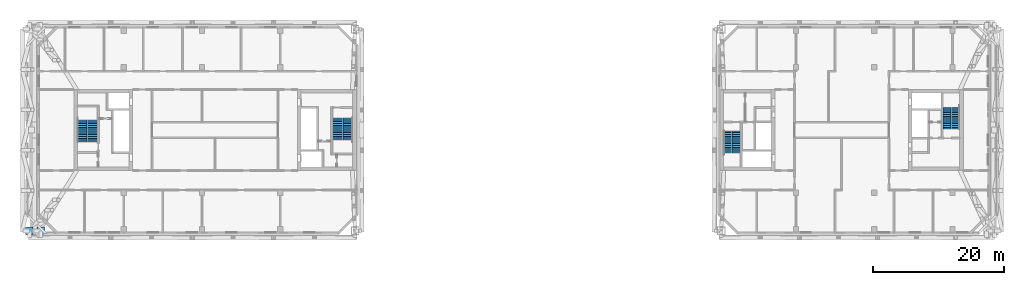
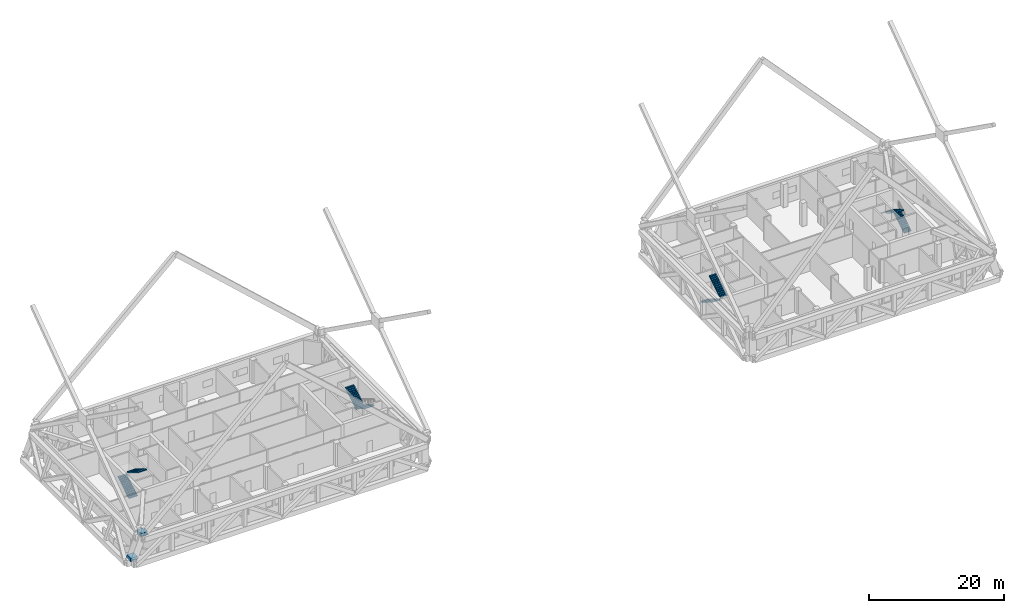
# One storey, part 19 of 22: 8 stair flights, 2 discrete accessories, 4 elements without a shape of their own.
"""IFC4 building model written with IfcOpenShell, lengths in metres."""

from ifc_helpers import new_model, si_unit, direction, frame, origin, origin_2d, place, context, subcontext, project, spatial, polyline, rectangle, outline, extrude, material, type_object, element, aggregate, save


model = new_model("IFC4")

# Units and contexts
model_context = context("Model", 3, precision=1e-05, world=origin(), true_north=direction((0.0, 1.0)))
body_context = subcontext(model_context, "Body", "Model", "MODEL_VIEW")
ifc_project = project(units=[si_unit("LENGTHUNIT", "METRE"), si_unit("AREAUNIT", "SQUARE_METRE"), si_unit("VOLUMEUNIT", "CUBIC_METRE"), si_unit("PLANEANGLEUNIT", "RADIAN"), si_unit("MASSUNIT", "GRAM", prefix="KILO")], contexts=[model_context])

# Site, building, storey
site_placement = place(None, origin())
site = spatial("IfcSite", under=ifc_project, at=site_placement, CompositionType="ELEMENT")
building_placement = place(site_placement, origin())
building = spatial("IfcBuilding", under=site, at=building_placement, Name="Tuart Gate Housing", CompositionType="ELEMENT")
storey_placement = place(building_placement, frame((0.0, 0.0, 115.0)))
storey = spatial("IfcBuildingStorey", under=building, at=storey_placement, Name="L32", CompositionType="ELEMENT", Elevation=115.0)

# Stair, stair flights
ifc_material_1 = material(Name="Concrete C40", Category="concrete")
stair_type_1 = type_object("IfcStairType", Name="Core stair 1250", PredefinedType="HALF_TURN_STAIR", material=ifc_material_1)
stair_1_placement = place(storey_placement, origin())
stair_1 = element("IfcStair", 1, at=stair_1_placement, inside=storey, type_object=stair_type_1, Name="Stair SB1", PredefinedType="HALF_TURN_STAIR")
ifc_material_2 = material(Name="Concrete C40", Category="concrete")
stair_flight_type_1 = type_object("IfcStairFlightType", Name="Stair flight 1250, 13 risers 173 x 280", PredefinedType="STRAIGHT", material=ifc_material_2)
stair_flight_1_placement = place(storey_placement, frame((132.534912109375, 69.875, 0.0), z_axis=(0.0, 0.0, 1.0), x_axis=(0.0, -1.0, 0.0)))
stair_flight_1 = element("IfcStairFlight", 2, at=stair_flight_1_placement, type_object=stair_flight_type_1, Name="SB1 flight 1", NumberOfRisers=13, NumberOfTreads=12, PredefinedType="STRAIGHT", RiserHeight=0.173076923, TreadLength=0.28, context=body_context, shape_type="SweptSolid", body=[
    extrude(outline(polyline([(0.0, 0.0), (0.0, 0.173095703125), (0.280029296875, 0.173095703125), (0.280029296875, 0.34619140625), (0.56005859375, 0.34619140625), (0.56005859375, 0.519287109375), (0.840087890625, 0.519287109375), (0.840087890625, 0.6923828125), (1.1201171875, 0.6923828125), (1.1201171875, 0.865478515625), (1.39990234375, 0.865478515625), (1.39990234375, 1.03857421875), (1.679931640625, 1.03857421875), (1.679931640625, 1.21142578125), (1.9599609375, 1.21142578125), (1.9599609375, 1.384521484375), (2.239990234375, 1.384521484375), (2.239990234375, 1.5576171875), (2.52001953125, 1.5576171875), (2.52001953125, 1.730712890625), (2.800048828125, 1.730712890625), (2.800048828125, 1.90380859375), (3.080078125, 1.90380859375), (3.080078125, 2.076904296875), (3.360107421875, 2.076904296875), (3.360107421875, 2.25), (3.360107421875, 1.900634765625), (0.28515625, 0.0), (0.0, 0.0)])), frame((0.0, 0.625, 0.0), z_axis=(0.0, -1.0, 0.0), x_axis=(1.0, 0.0, 0.0)), (0.0, 0.0, 1.0), 1.25),
])
stair_flight_2_placement = place(storey_placement, frame((133.860107421875, 66.514892578125, 2.25), z_axis=(0.0, 0.0, 1.0), x_axis=(0.0, 1.0, 0.0)))
stair_flight_2 = element("IfcStairFlight", 3, at=stair_flight_2_placement, type_object=stair_flight_type_1, Name="SB1 flight 2", NumberOfRisers=13, NumberOfTreads=12, PredefinedType="STRAIGHT", RiserHeight=0.173076923, TreadLength=0.28, context=body_context, shape_type="SweptSolid", body=[
    extrude(outline(polyline([(0.0, 0.0), (0.0, 0.173095703125), (0.280029296875, 0.173095703125), (0.280029296875, 0.34619140625), (0.56005859375, 0.34619140625), (0.56005859375, 0.519287109375), (0.840087890625, 0.519287109375), (0.840087890625, 0.6923828125), (1.1201171875, 0.6923828125), (1.1201171875, 0.865478515625), (1.39990234375, 0.865478515625), (1.39990234375, 1.03857421875), (1.679931640625, 1.03857421875), (1.679931640625, 1.21142578125), (1.9599609375, 1.21142578125), (1.9599609375, 1.384521484375), (2.239990234375, 1.384521484375), (2.239990234375, 1.5576171875), (2.52001953125, 1.5576171875), (2.52001953125, 1.730712890625), (2.800048828125, 1.730712890625), (2.800048828125, 1.90380859375), (3.080078125, 1.90380859375), (3.080078125, 2.076904296875), (3.360107421875, 2.076904296875), (3.360107421875, 2.25), (3.360107421875, 1.900634765625), (0.28515625, 0.0), (0.0, 0.0)])), frame((0.0, 0.625, 0.0), z_axis=(0.0, -1.0, 0.0), x_axis=(1.0, 0.0, 0.0)), (0.0, 0.0, 1.0), 1.25),
])
aggregate(stair_1, [stair_flight_1, stair_flight_2])

stair_2_placement = place(storey_placement, origin())
stair_2 = element("IfcStair", 4, at=stair_2_placement, inside=storey, type_object=stair_type_1, Name="Stair SB2", PredefinedType="HALF_TURN_STAIR")
stair_flight_3_placement = place(storey_placement, frame((167.465087890625, 70.125, 0.0), z_axis=(0.0, 0.0, 1.0), x_axis=(0.0, 1.0, 0.0)))
stair_flight_3 = element("IfcStairFlight", 5, at=stair_flight_3_placement, type_object=stair_flight_type_1, Name="SB2 flight 1", NumberOfRisers=13, NumberOfTreads=12, PredefinedType="STRAIGHT", RiserHeight=0.173076923, TreadLength=0.28, context=body_context, shape_type="SweptSolid", body=[
    extrude(outline(polyline([(0.0, 0.0), (0.0, 0.173095703125), (0.280029296875, 0.173095703125), (0.280029296875, 0.34619140625), (0.56005859375, 0.34619140625), (0.56005859375, 0.519287109375), (0.840087890625, 0.519287109375), (0.840087890625, 0.6923828125), (1.1201171875, 0.6923828125), (1.1201171875, 0.865478515625), (1.39990234375, 0.865478515625), (1.39990234375, 1.03857421875), (1.679931640625, 1.03857421875), (1.679931640625, 1.21142578125), (1.9599609375, 1.21142578125), (1.9599609375, 1.384521484375), (2.239990234375, 1.384521484375), (2.239990234375, 1.5576171875), (2.52001953125, 1.5576171875), (2.52001953125, 1.730712890625), (2.800048828125, 1.730712890625), (2.800048828125, 1.90380859375), (3.080078125, 1.90380859375), (3.080078125, 2.076904296875), (3.360107421875, 2.076904296875), (3.360107421875, 2.25), (3.360107421875, 1.900634765625), (0.28515625, 0.0), (0.0, 0.0)])), frame((0.0, 0.625, 0.0), z_axis=(0.0, -1.0, 0.0), x_axis=(1.0, 0.0, 0.0)), (0.0, 0.0, 1.0), 1.25),
])
stair_flight_4_placement = place(storey_placement, frame((166.139892578125, 73.485107421875, 2.25), z_axis=(0.0, 0.0, 1.0), x_axis=(0.0, -1.0, 0.0)))
stair_flight_4 = element("IfcStairFlight", 6, at=stair_flight_4_placement, type_object=stair_flight_type_1, Name="SB2 flight 2", NumberOfRisers=13, NumberOfTreads=12, PredefinedType="STRAIGHT", RiserHeight=0.173076923, TreadLength=0.28, context=body_context, shape_type="SweptSolid", body=[
    extrude(outline(polyline([(0.0, 0.0), (0.0, 0.173095703125), (0.280029296875, 0.173095703125), (0.280029296875, 0.34619140625), (0.56005859375, 0.34619140625), (0.56005859375, 0.519287109375), (0.840087890625, 0.519287109375), (0.840087890625, 0.6923828125), (1.1201171875, 0.6923828125), (1.1201171875, 0.865478515625), (1.39990234375, 0.865478515625), (1.39990234375, 1.03857421875), (1.679931640625, 1.03857421875), (1.679931640625, 1.21142578125), (1.9599609375, 1.21142578125), (1.9599609375, 1.384521484375), (2.239990234375, 1.384521484375), (2.239990234375, 1.5576171875), (2.52001953125, 1.5576171875), (2.52001953125, 1.730712890625), (2.800048828125, 1.730712890625), (2.800048828125, 1.90380859375), (3.080078125, 1.90380859375), (3.080078125, 2.076904296875), (3.360107421875, 2.076904296875), (3.360107421875, 2.25), (3.360107421875, 1.900634765625), (0.28515625, 0.0), (0.0, 0.0)])), frame((0.0, 0.625, 0.0), z_axis=(0.0, -1.0, 0.0), x_axis=(1.0, 0.0, 0.0)), (0.0, 0.0, 1.0), 1.25),
])
aggregate(stair_2, [stair_flight_3, stair_flight_4])

ifc_material_3 = material(Name="Concrete C40", Category="concrete")
stair_type_2 = type_object("IfcStairType", Name="Core stair 1500", PredefinedType="HALF_TURN_STAIR", material=ifc_material_3)
stair_3_placement = place(storey_placement, origin())
stair_3 = element("IfcStair", 7, at=stair_3_placement, inside=storey, type_object=stair_type_2, Name="Stair SA1", PredefinedType="HALF_TURN_STAIR")
ifc_material_4 = material(Name="Concrete C40", Category="concrete")
stair_flight_type_2 = type_object("IfcStairFlightType", Name="Stair flight 1500, 13 risers 173 x 280", PredefinedType="STRAIGHT", material=ifc_material_4)
stair_flight_5_placement = place(storey_placement, frame((74.340087890625, 71.824951171875, 0.0), z_axis=(0.0, 0.0, 1.0), x_axis=(0.0, -1.0, 0.0)))
stair_flight_5 = element("IfcStairFlight", 8, at=stair_flight_5_placement, type_object=stair_flight_type_2, Name="SA1 flight 1", NumberOfRisers=13, NumberOfTreads=12, PredefinedType="STRAIGHT", RiserHeight=0.173076923, TreadLength=0.28, context=body_context, shape_type="SweptSolid", body=[
    extrude(outline(polyline([(0.0, 0.0), (0.0, 0.173095703125), (0.280029296875, 0.173095703125), (0.280029296875, 0.34619140625), (0.56005859375, 0.34619140625), (0.56005859375, 0.519287109375), (0.840087890625, 0.519287109375), (0.840087890625, 0.6923828125), (1.1201171875, 0.6923828125), (1.1201171875, 0.865478515625), (1.39990234375, 0.865478515625), (1.39990234375, 1.03857421875), (1.679931640625, 1.03857421875), (1.679931640625, 1.21142578125), (1.9599609375, 1.21142578125), (1.9599609375, 1.384521484375), (2.239990234375, 1.384521484375), (2.239990234375, 1.5576171875), (2.52001953125, 1.5576171875), (2.52001953125, 1.730712890625), (2.800048828125, 1.730712890625), (2.800048828125, 1.90380859375), (3.080078125, 1.90380859375), (3.080078125, 2.076904296875), (3.360107421875, 2.076904296875), (3.360107421875, 2.25), (3.360107421875, 1.900634765625), (0.28515625, 0.0), (0.0, 0.0)])), frame((0.0, 0.75, 0.0), z_axis=(0.0, -1.0, 0.0), x_axis=(1.0, 0.0, 0.0)), (0.0, 0.0, 1.0), 1.5),
])
stair_flight_6_placement = place(storey_placement, frame((72.764892578125, 68.465087890625, 2.25), z_axis=(0.0, 0.0, 1.0), x_axis=(0.0, 1.0, 0.0)))
stair_flight_6 = element("IfcStairFlight", 9, at=stair_flight_6_placement, type_object=stair_flight_type_2, Name="SA1 flight 2", NumberOfRisers=13, NumberOfTreads=12, PredefinedType="STRAIGHT", RiserHeight=0.173076923, TreadLength=0.28, context=body_context, shape_type="SweptSolid", body=[
    extrude(outline(polyline([(0.0, 0.0), (0.0, 0.173095703125), (0.280029296875, 0.173095703125), (0.280029296875, 0.34619140625), (0.56005859375, 0.34619140625), (0.56005859375, 0.519287109375), (0.840087890625, 0.519287109375), (0.840087890625, 0.6923828125), (1.1201171875, 0.6923828125), (1.1201171875, 0.865478515625), (1.39990234375, 0.865478515625), (1.39990234375, 1.03857421875), (1.679931640625, 1.03857421875), (1.679931640625, 1.21142578125), (1.9599609375, 1.21142578125), (1.9599609375, 1.384521484375), (2.239990234375, 1.384521484375), (2.239990234375, 1.5576171875), (2.52001953125, 1.5576171875), (2.52001953125, 1.730712890625), (2.800048828125, 1.730712890625), (2.800048828125, 1.90380859375), (3.080078125, 1.90380859375), (3.080078125, 2.076904296875), (3.360107421875, 2.076904296875), (3.360107421875, 2.25), (3.360107421875, 1.900634765625), (0.28515625, 0.0), (0.0, 0.0)])), frame((0.0, 0.75, 0.0), z_axis=(0.0, -1.0, 0.0), x_axis=(1.0, 0.0, 0.0)), (0.0, 0.0, 1.0), 1.5),
])
aggregate(stair_3, [stair_flight_5, stair_flight_6])

stair_4_placement = place(storey_placement, origin())
stair_4 = element("IfcStair", 10, at=stair_4_placement, inside=storey, type_object=stair_type_2, Name="Stair SA2", PredefinedType="HALF_TURN_STAIR")
stair_flight_7_placement = place(storey_placement, frame((33.659912109375, 68.175048828125, 0.0), z_axis=(0.0, 0.0, 1.0), x_axis=(0.0, 1.0, 0.0)))
stair_flight_7 = element("IfcStairFlight", 11, at=stair_flight_7_placement, type_object=stair_flight_type_2, Name="SA2 flight 1", NumberOfRisers=13, NumberOfTreads=12, PredefinedType="STRAIGHT", RiserHeight=0.173076923, TreadLength=0.28, context=body_context, shape_type="SweptSolid", body=[
    extrude(outline(polyline([(0.0, 0.0), (0.0, 0.173095703125), (0.280029296875, 0.173095703125), (0.280029296875, 0.34619140625), (0.56005859375, 0.34619140625), (0.56005859375, 0.519287109375), (0.840087890625, 0.519287109375), (0.840087890625, 0.6923828125), (1.1201171875, 0.6923828125), (1.1201171875, 0.865478515625), (1.39990234375, 0.865478515625), (1.39990234375, 1.03857421875), (1.679931640625, 1.03857421875), (1.679931640625, 1.21142578125), (1.9599609375, 1.21142578125), (1.9599609375, 1.384521484375), (2.239990234375, 1.384521484375), (2.239990234375, 1.5576171875), (2.52001953125, 1.5576171875), (2.52001953125, 1.730712890625), (2.800048828125, 1.730712890625), (2.800048828125, 1.90380859375), (3.080078125, 1.90380859375), (3.080078125, 2.076904296875), (3.360107421875, 2.076904296875), (3.360107421875, 2.25), (3.360107421875, 1.900634765625), (0.28515625, 0.0), (0.0, 0.0)])), frame((0.0, 0.75, 0.0), z_axis=(0.0, -1.0, 0.0), x_axis=(1.0, 0.0, 0.0)), (0.0, 0.0, 1.0), 1.5),
])
stair_flight_8_placement = place(storey_placement, frame((35.235107421875, 71.534912109375, 2.25), z_axis=(0.0, 0.0, 1.0), x_axis=(0.0, -1.0, 0.0)))
stair_flight_8 = element("IfcStairFlight", 12, at=stair_flight_8_placement, type_object=stair_flight_type_2, Name="SA2 flight 2", NumberOfRisers=13, NumberOfTreads=12, PredefinedType="STRAIGHT", RiserHeight=0.173076923, TreadLength=0.28, context=body_context, shape_type="SweptSolid", body=[
    extrude(outline(polyline([(0.0, 0.0), (0.0, 0.173095703125), (0.280029296875, 0.173095703125), (0.280029296875, 0.34619140625), (0.56005859375, 0.34619140625), (0.56005859375, 0.519287109375), (0.840087890625, 0.519287109375), (0.840087890625, 0.6923828125), (1.1201171875, 0.6923828125), (1.1201171875, 0.865478515625), (1.39990234375, 0.865478515625), (1.39990234375, 1.03857421875), (1.679931640625, 1.03857421875), (1.679931640625, 1.21142578125), (1.9599609375, 1.21142578125), (1.9599609375, 1.384521484375), (2.239990234375, 1.384521484375), (2.239990234375, 1.5576171875), (2.52001953125, 1.5576171875), (2.52001953125, 1.730712890625), (2.800048828125, 1.730712890625), (2.800048828125, 1.90380859375), (3.080078125, 1.90380859375), (3.080078125, 2.076904296875), (3.360107421875, 2.076904296875), (3.360107421875, 2.25), (3.360107421875, 1.900634765625), (0.28515625, 0.0), (0.0, 0.0)])), frame((0.0, 0.75, 0.0), z_axis=(0.0, -1.0, 0.0), x_axis=(1.0, 0.0, 0.0)), (0.0, 0.0, 1.0), 1.5),
])
aggregate(stair_4, [stair_flight_7, stair_flight_8])

# Discrete accessories
for number, where, z_axis, x_axis, name in (
    (13, (25.550048828125, 54.550048828125, 0.0), (0.0, 0.0, 1.0), (1.0, 0.0, 0.0), "Mega column node A south-west foot L32"),
    (14, (27.300048828125, 54.550048828125, 3.89990234375), (0.0, 0.0, 1.0), (1.0, 0.0, 0.0), "Mega column node A south-west head L32"),
):
    element("IfcDiscreteAccessory", number, at=place(storey_placement, frame(where, z_axis=z_axis, x_axis=x_axis)), inside=storey, Name=name, ObjectType="Mega column node", PredefinedType="USERDEFINED", context=body_context, shape_type="SweptSolid", body=[
        extrude(rectangle(XDim=1.152099609375, YDim=1.152099609375, at=origin_2d()), origin(), (0.0, 0.0, 1.0), 0.60009765625),
    ])

save(model, "model.ifc")
